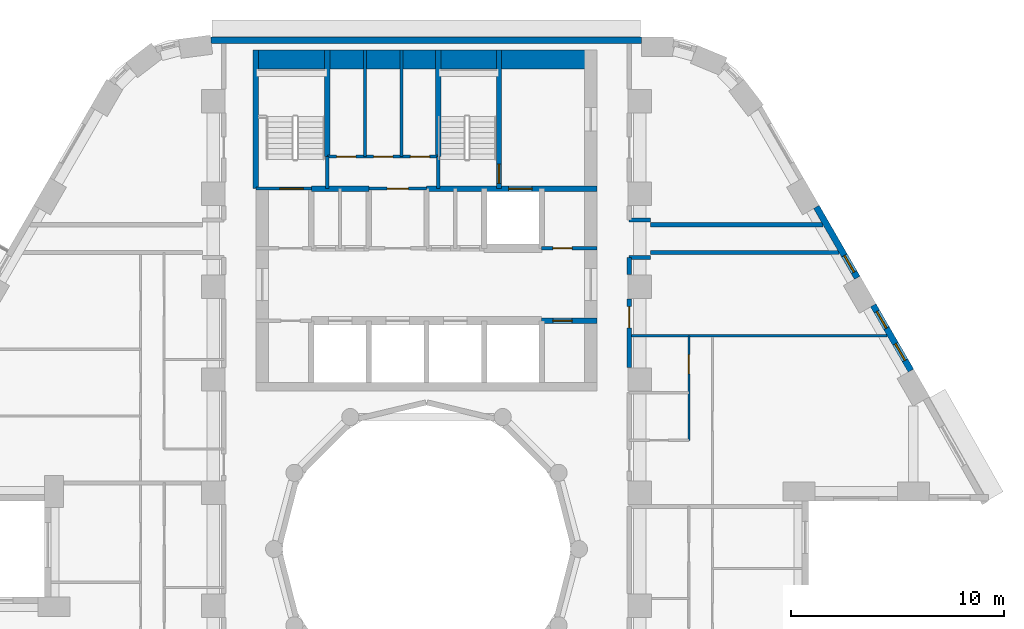
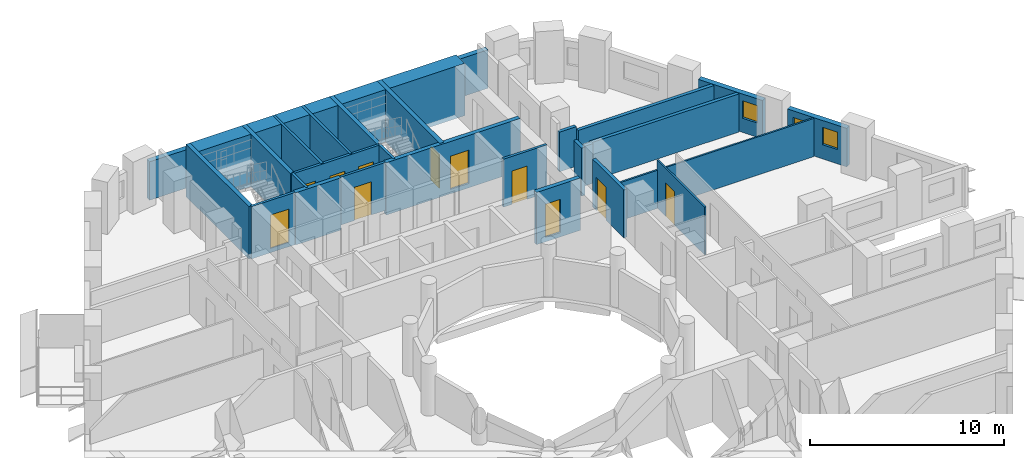
# One storey, part 8 of 13: 27 walls, 11 doors, 3 windows, 14 openings.
"""IFC4 building model written with IfcOpenShell, lengths in metres."""

from ifc_helpers import new_model, si_unit, direction, frame, frame_2d, origin, place, context, subcontext, project, spatial, rectangle, extrude, material, layer, layer_set, type_object, element, fill, save


model = new_model("IFC4")

# Units and contexts
model_context = context("Model", 3, precision=1e-05, world=origin(), true_north=direction((0.0, 1.0)))
body_context = subcontext(model_context, "Body", "Model", "MODEL_VIEW")
ifc_project = project(units=[si_unit("LENGTHUNIT", "METRE"), si_unit("AREAUNIT", "SQUARE_METRE"), si_unit("VOLUMEUNIT", "CUBIC_METRE"), si_unit("PLANEANGLEUNIT", "RADIAN"), si_unit("MASSUNIT", "GRAM", prefix="KILO")], contexts=[model_context])

# Site, building, storey
site_placement = place(None, origin())
site = spatial("IfcSite", under=ifc_project, at=site_placement, CompositionType="ELEMENT")
building_placement = place(site_placement, origin())
building = spatial("IfcBuilding", under=site, at=building_placement, Name="Nakaniwa Court", CompositionType="ELEMENT")
storey_placement = place(building_placement, frame((0.0, 0.0, 44.699951171875)))
storey = spatial("IfcBuildingStorey", under=building, at=storey_placement, Name="L11", CompositionType="ELEMENT", Elevation=44.699951171875)

# Wall, opening, door
ifc_material_1 = material(Name="Acoustic double stud partition")
ifc_layer_1 = layer(ifc_material_1, 0.199951171875)
ifc_layer_set_1 = layer_set([ifc_layer_1], Name="Acoustic double stud partition")
wall_type_1 = type_object("IfcWallType", Name="Acoustic double stud partition 200", PredefinedType="PARTITIONING", material=ifc_layer_set_1)
wall_1_placement = place(storey_placement, frame((89.5, 91.73291015625, 0.0), z_axis=(0.0, 0.0, 1.0), x_axis=(0.0, -1.0, 0.0)))
wall_1 = element("IfcWall", 1, at=wall_1_placement, inside=storey, type_object=wall_type_1, Name="Partition PW-080", PredefinedType="PARTITIONING", context=body_context, shape_type="SweptSolid", body=[
    extrude(rectangle(XDim=3.2158203125, YDim=0.199951171875, at=frame_2d((1.60791015625, 0.0))), origin(), (0.0, 0.0, 1.0), 3.025146484375),
])
opening_1_placement = place(wall_1_placement, frame((0.367919921875, 0.0, 0.0)))
opening_1 = element("IfcOpeningElement", 2, at=opening_1_placement, cuts=wall_1, Name="Opening D-02-06", PredefinedType="OPENING", context=body_context, shape_type="SweptSolid", body=[
    extrude(rectangle(XDim=1.0, YDim=2.10009765625, at=frame_2d((0.5, 1.050048828125))), frame((0.0, 0.10986328125, 0.0), z_axis=(0.0, -1.0, 0.0), x_axis=(1.0, 0.0, 0.0)), (0.0, 0.0, 1.0), 0.219970703125),
])
ifc_material_2 = material(Name="Solid core timber door set, black veneer", Category="wood")
door_type_1 = type_object("IfcDoorType", Name="Internal door 1000", OperationType="NOTDEFINED", PredefinedType="DOOR", material=ifc_material_2)
door_1_placement = place(opening_1_placement, origin())
door_1 = element("IfcDoor", 3, at=door_1_placement, inside=storey, type_object=door_type_1, Name="Door D-02-06 L11-058", OperationType="SINGLE_SWING_LEFT", OverallHeight=2.10009765625, OverallWidth=1.0, PredefinedType="DOOR", context=body_context, shape_type="SweptSolid", body=[
    extrude(rectangle(XDim=1.0, YDim=2.10009765625, at=frame_2d((0.5, 1.050048828125))), frame((0.0, 0.02490234375, 0.0), z_axis=(0.0, -1.0, 0.0), x_axis=(1.0, 0.0, 0.0)), (0.0, 0.0, 1.0), 0.050048828125),
])
fill(opening_1, door_1)

# Walls
wall_2_placement = place(storey_placement, frame((89.5, 92.866943359375, 0.0), z_axis=(0.0, 0.0, 1.0), x_axis=(0.0, 1.0, 0.0)))
element("IfcWall", 4, at=wall_2_placement, inside=storey, type_object=wall_type_1, Name="Partition PW-081", PredefinedType="PARTITIONING", context=body_context, shape_type="SweptSolid", body=[
    extrude(rectangle(XDim=0.81103515625, YDim=0.199951171875, at=frame_2d((0.405517578125, 0.0))), origin(), (0.0, 0.0, 1.0), 3.025146484375),
])
wall_3_placement = place(storey_placement, frame((89.5, 95.425048828125, 0.0), z_axis=(0.0, 0.0, 1.0), x_axis=(1.0, 0.0, 0.0)))
element("IfcWall", 5, at=wall_3_placement, inside=storey, type_object=wall_type_1, Name="Partition PW-086", PredefinedType="PARTITIONING", context=body_context, shape_type="SweptSolid", body=[
    extrude(rectangle(XDim=1.0, YDim=0.199951171875, at=frame_2d((0.5, 0.0))), origin(), (0.0, 0.0, 1.0), 2.505126953125),
])
wall_4_placement = place(storey_placement, frame((90.5, 95.199951171875, 0.0), z_axis=(0.0, 0.0, 1.0), x_axis=(1.0, 0.0, 0.0)))
element("IfcWall", 6, at=wall_4_placement, inside=storey, type_object=wall_type_1, Name="Partition PW-088", PredefinedType="PARTITIONING", context=body_context, shape_type="SweptSolid", body=[
    extrude(rectangle(XDim=8.0908203125, YDim=0.199951171875, at=frame_2d((4.04541015625, 0.0))), origin(), (0.0, 0.0, 1.0), 2.405029296875),
])
wall_5_placement = place(storey_placement, frame((90.5, 93.89990234375, 0.0), z_axis=(0.0, 0.0, 1.0), x_axis=(1.0, 0.0, 0.0)))
element("IfcWall", 7, at=wall_5_placement, inside=storey, type_object=wall_type_1, Name="Partition PW-090", PredefinedType="PARTITIONING", context=body_context, shape_type="SweptSolid", body=[
    extrude(rectangle(XDim=8.84130859375, YDim=0.199951171875, at=frame_2d((4.420654296875, 0.0))), origin(), (0.0, 0.0, 1.0), 2.405029296875),
])
wall_6_placement = place(storey_placement, frame((89.5, 93.675048828125, 0.0), z_axis=(0.0, 0.0, 1.0), x_axis=(1.0, 0.0, 0.0)))
element("IfcWall", 8, at=wall_6_placement, inside=storey, type_object=wall_type_1, Name="Partition PW-092", PredefinedType="PARTITIONING", context=body_context, shape_type="SweptSolid", body=[
    extrude(rectangle(XDim=1.0, YDim=0.199951171875, at=frame_2d((0.5, 0.0))), origin(), (0.0, 0.0, 1.0), 2.505126953125),
])

# Wall, openings, windows
ifc_material_3 = material(Name="Charcoal ceramic cladding")
ifc_layer_2 = layer(ifc_material_3, 0.02, Name="Ceramic cladding")
ifc_material_4 = material(Name="Ventilated air cavity")
ifc_layer_3 = layer(ifc_material_4, 0.04, ventilated=True, Name="Ventilated cavity")
ifc_material_5 = material(Name="Mineral wool insulation")
ifc_layer_4 = layer(ifc_material_5, 0.1, Name="Insulation")
ifc_material_6 = material(Name="Cement bonded sheathing board")
ifc_layer_5 = layer(ifc_material_6, 0.012, Name="Sheathing")
ifc_material_7 = material(Name="Cold-formed galvanised stud frame with mineral wool infill")
ifc_layer_6 = layer(ifc_material_7, 0.1, Name="Stud frame")
ifc_material_8 = material(Name="Fire-rated gypsum plasterboard lining")
ifc_layer_7 = layer(ifc_material_8, 0.028, Name="Lining")
ifc_layer_set_2 = layer_set([ifc_layer_2, ifc_layer_3, ifc_layer_4, ifc_layer_5, ifc_layer_6, ifc_layer_7], Name="Charcoal ceramic faced external wall system")
wall_type_2 = type_object("IfcWallType", Name="Black ceramic faced external wall 300", PredefinedType="SOLIDWALL", material=ifc_layer_set_2)
wall_7_placement = place(storey_placement, frame((102.709716796875, 88.36572265625, 0.0), z_axis=(0.0, 0.0, 1.0), x_axis=(-0.499977402622, 0.866038449993, 0.0)))
wall_7 = element("IfcWall", 9, at=wall_7_placement, inside=storey, type_object=wall_type_2, Name="L11 external wall 03", PredefinedType="SOLIDWALL", context=body_context, shape_type="SweptSolid", body=[
    extrude(rectangle(XDim=3.536865234375, YDim=0.300048828125, at=frame_2d((1.7685546875, 0.0))), origin(), (0.0, 0.0, 1.0), 2.425048828125),
])
opening_2_placement = place(wall_7_placement, frame((0.5546875, 0.0, 0.89990234375)))
opening_2 = element("IfcOpeningElement", 10, at=opening_2_placement, cuts=wall_7, Name="Opening W9.04", PredefinedType="OPENING", context=body_context, shape_type="SweptSolid", body=[
    extrude(rectangle(XDim=0.89990234375, YDim=1.10009765625, at=frame_2d((0.449951171875, 0.550048828125))), frame((0.0, 0.159912109375, 0.0), z_axis=(0.0, -1.0, 0.0), x_axis=(1.0, 0.0, 0.0)), (0.0, 0.0, 1.0), 0.320068359375),
])
opening_3_placement = place(wall_7_placement, frame((2.299072265625, 0.0, 0.89990234375)))
opening_3 = element("IfcOpeningElement", 11, at=opening_3_placement, cuts=wall_7, Name="Opening W9.05", PredefinedType="OPENING", context=body_context, shape_type="SweptSolid", body=[
    extrude(rectangle(XDim=0.89990234375, YDim=1.10009765625, at=frame_2d((0.449951171875, 0.550048828125))), frame((0.0, 0.159912109375, 0.0), z_axis=(0.0, -1.0, 0.0), x_axis=(1.0, 0.0, 0.0)), (0.0, 0.0, 1.0), 0.320068359375),
])
ifc_material_9 = material(Name="Black anodised aluminium frame with dark low-E laminated double glazing", Category="aluminium")
window_type = type_object("IfcWindowType", Name="Dark glass window 900x1100 sill 900", PartitioningType="SINGLE_PANEL", PredefinedType="WINDOW", material=ifc_material_9)
window_1_placement = place(opening_2_placement, origin())
window_1 = element("IfcWindow", 12, at=window_1_placement, inside=storey, type_object=window_type, Name="L11 living window 03-0", OverallHeight=1.10009765625, OverallWidth=0.89990234375, PartitioningType="SINGLE_PANEL", PredefinedType="WINDOW", context=body_context, shape_type="SweptSolid", body=[
    extrude(rectangle(XDim=0.89990234375, YDim=1.10009765625, at=frame_2d((0.449951171875, 0.550048828125))), frame((0.0, 0.030029296875, 0.0), z_axis=(0.0, -1.0, 0.0), x_axis=(1.0, 0.0, 0.0)), (0.0, 0.0, 1.0), 0.06005859375),
])
fill(opening_2, window_1)
window_2_placement = place(opening_3_placement, origin())
window_2 = element("IfcWindow", 13, at=window_2_placement, inside=storey, type_object=window_type, Name="L11 habitable room window 03-1", OverallHeight=1.10009765625, OverallWidth=0.89990234375, PartitioningType="SINGLE_PANEL", PredefinedType="WINDOW", context=body_context, shape_type="SweptSolid", body=[
    extrude(rectangle(XDim=0.89990234375, YDim=1.10009765625, at=frame_2d((0.449951171875, 0.550048828125))), frame((0.0, 0.030029296875, 0.0), z_axis=(0.0, -1.0, 0.0), x_axis=(1.0, 0.0, 0.0)), (0.0, 0.0, 1.0), 0.06005859375),
])
fill(opening_3, window_2)

# Wall, opening, window
wall_8_placement = place(storey_placement, frame((100.1953125, 92.720703125, 0.0), z_axis=(0.0, 0.0, 1.0), x_axis=(-0.500001735503, 0.866024401789, 0.0)))
wall_8 = element("IfcWall", 14, at=wall_8_placement, inside=storey, type_object=wall_type_2, Name="L11 external wall 04", PredefinedType="SOLIDWALL", context=body_context, shape_type="SweptSolid", body=[
    extrude(rectangle(XDim=3.833984375, YDim=0.300048828125, at=frame_2d((1.9169921875, 0.0))), origin(), (0.0, 0.0, 1.0), 2.425048828125),
])
opening_4_placement = place(wall_8_placement, frame((0.304931640625, 0.0, 0.89990234375)))
opening_4 = element("IfcOpeningElement", 15, at=opening_4_placement, cuts=wall_8, Name="Opening W9.06", PredefinedType="OPENING", context=body_context, shape_type="SweptSolid", body=[
    extrude(rectangle(XDim=0.89990234375, YDim=1.10009765625, at=frame_2d((0.449951171875, 0.550048828125))), frame((0.0, 0.159912109375, 0.0), z_axis=(0.0, -1.0, 0.0), x_axis=(1.0, 0.0, 0.0)), (0.0, 0.0, 1.0), 0.320068359375),
])
window_3_placement = place(opening_4_placement, origin())
window_3 = element("IfcWindow", 16, at=window_3_placement, inside=storey, type_object=window_type, Name="L11 habitable room window 04-0", OverallHeight=1.10009765625, OverallWidth=0.89990234375, PartitioningType="SINGLE_PANEL", PredefinedType="WINDOW", context=body_context, shape_type="SweptSolid", body=[
    extrude(rectangle(XDim=0.89990234375, YDim=1.10009765625, at=frame_2d((0.449951171875, 0.550048828125))), frame((0.0, 0.030029296875, 0.0), z_axis=(0.0, -1.0, 0.0), x_axis=(1.0, 0.0, 0.0)), (0.0, 0.0, 1.0), 0.06005859375),
])
fill(opening_4, window_3)

# Wall
wall_9_placement = place(storey_placement, frame((90.07861328125, 103.85009765625, 0.0), z_axis=(0.0, 0.0, 1.0), x_axis=(-1.0, 0.0, 0.0)))
element("IfcWall", 17, at=wall_9_placement, inside=storey, type_object=wall_type_2, Name="L11 external wall 08", PredefinedType="SOLIDWALL", context=body_context, shape_type="SweptSolid", body=[
    extrude(rectangle(XDim=20.1904296875, YDim=0.300048828125, at=frame_2d((10.09521484375, 0.0))), origin(), (0.0, 0.0, 1.0), 2.425048828125),
])

# Wall, opening, door
ifc_material_10 = material(Name="Blockwork partition", Category="masonry")
ifc_layer_8 = layer(ifc_material_10, 0.14990234375)
ifc_layer_set_3 = layer_set([ifc_layer_8], Name="Blockwork partition")
wall_type_3 = type_object("IfcWallType", Name="Blockwork partition 150", PredefinedType="PARTITIONING", material=ifc_layer_set_3)
wall_10_placement = place(storey_placement, frame((85.39697265625, 94.10009765625, 0.0), z_axis=(0.0, 0.0, 1.0), x_axis=(1.0, 0.0, 0.0)))
wall_10 = element("IfcWall", 18, at=wall_10_placement, inside=storey, type_object=wall_type_3, Name="Partition PW-018", PredefinedType="PARTITIONING", context=body_context, shape_type="SweptSolid", body=[
    extrude(rectangle(XDim=2.60302734375, YDim=0.14990234375, at=frame_2d((1.301513671875, 0.0))), origin(), (0.0, 0.0, 1.0), 3.025146484375),
])
opening_5_placement = place(wall_10_placement, frame((0.528076171875, 0.0, 0.0)))
opening_5 = element("IfcOpeningElement", 19, at=opening_5_placement, cuts=wall_10, Name="Opening D-05-07", PredefinedType="OPENING", context=body_context, shape_type="SweptSolid", body=[
    extrude(rectangle(XDim=0.89990234375, YDim=2.10009765625, at=frame_2d((0.449951171875, 1.050048828125))), frame((0.0, 0.0849609375, 0.0), z_axis=(0.0, -1.0, 0.0), x_axis=(1.0, 0.0, 0.0)), (0.0, 0.0, 1.0), 0.169921875),
])
ifc_material_11 = material(Name="Fire rated steel door set", Category="steel")
door_type_2 = type_object("IfcDoorType", Name="Service room door 900", OperationType="NOTDEFINED", PredefinedType="DOOR", material=ifc_material_11)
door_2_placement = place(opening_5_placement, origin())
door_2 = element("IfcDoor", 20, at=door_2_placement, inside=storey, type_object=door_type_2, Name="Door D-05-07 L11-009", OperationType="SINGLE_SWING_RIGHT", OverallHeight=2.10009765625, OverallWidth=0.89990234375, PredefinedType="DOOR", context=body_context, shape_type="SweptSolid", body=[
    extrude(rectangle(XDim=0.89990234375, YDim=2.10009765625, at=frame_2d((0.449951171875, 1.050048828125))), frame((0.0, 0.02490234375, 0.0), z_axis=(0.0, -1.0, 0.0), x_axis=(1.0, 0.0, 0.0)), (0.0, 0.0, 1.0), 0.050048828125),
])
fill(opening_5, door_2)

wall_11_placement = place(storey_placement, frame((77.300048828125, 96.89990234375, 0.0), z_axis=(0.0, 0.0, 1.0), x_axis=(1.0, 0.0, 0.0)))
wall_11 = element("IfcWall", 21, at=wall_11_placement, inside=storey, type_object=wall_type_3, Name="Partition PW-026", PredefinedType="PARTITIONING", context=body_context, shape_type="SweptSolid", body=[
    extrude(rectangle(XDim=2.699951171875, YDim=0.14990234375, at=frame_2d((1.35009765625, 0.0))), origin(), (0.0, 0.0, 1.0), 3.025146484375),
])
opening_6_placement = place(wall_11_placement, frame((0.85009765625, 0.0, 0.0)))
opening_6 = element("IfcOpeningElement", 22, at=opening_6_placement, cuts=wall_11, Name="Opening D-23-01", PredefinedType="OPENING", context=body_context, shape_type="SweptSolid", body=[
    extrude(rectangle(XDim=1.0, YDim=2.10009765625, at=frame_2d((0.5, 1.050048828125))), frame((0.0, 0.0849609375, 0.0), z_axis=(0.0, -1.0, 0.0), x_axis=(1.0, 0.0, 0.0)), (0.0, 0.0, 1.0), 0.169921875),
])
door_type_3 = type_object("IfcDoorType", Name="Service room door 1000", OperationType="NOTDEFINED", PredefinedType="DOOR", material=ifc_material_11)
door_3_placement = place(opening_6_placement, origin())
door_3 = element("IfcDoor", 23, at=door_3_placement, inside=storey, type_object=door_type_3, Name="Door D-23-01 L11-010", OperationType="SINGLE_SWING_LEFT", OverallHeight=2.10009765625, OverallWidth=1.0, PredefinedType="DOOR", context=body_context, shape_type="SweptSolid", body=[
    extrude(rectangle(XDim=1.0, YDim=2.10009765625, at=frame_2d((0.5, 1.050048828125))), frame((0.0, 0.02490234375, 0.0), z_axis=(0.0, -1.0, 0.0), x_axis=(1.0, 0.0, 0.0)), (0.0, 0.0, 1.0), 0.050048828125),
])
fill(opening_6, door_3)

# Wall, openings, doors
wall_12_placement = place(storey_placement, frame((75.35009765625, 98.39990234375, 0.0), z_axis=(0.0, 0.0, 1.0), x_axis=(1.0, 0.0, 0.0)))
wall_12 = element("IfcWall", 24, at=wall_12_placement, inside=storey, type_object=wall_type_3, Name="Partition PW-034", PredefinedType="PARTITIONING", context=body_context, shape_type="SweptSolid", body=[
    extrude(rectangle(XDim=5.199951171875, YDim=0.14990234375, at=frame_2d((2.60009765625, 0.0))), origin(), (0.0, 0.0, 1.0), 3.025146484375),
])
opening_7_placement = place(wall_12_placement, frame((0.43408203125, 0.0, 0.0)))
opening_7 = element("IfcOpeningElement", 25, at=opening_7_placement, cuts=wall_12, Name="Opening D-05-08", PredefinedType="OPENING", context=body_context, shape_type="SweptSolid", body=[
    extrude(rectangle(XDim=0.89990234375, YDim=2.10009765625, at=frame_2d((0.449951171875, 1.050048828125))), frame((0.0, 0.0849609375, 0.0), z_axis=(0.0, -1.0, 0.0), x_axis=(1.0, 0.0, 0.0)), (0.0, 0.0, 1.0), 0.169921875),
])
opening_8_placement = place(wall_12_placement, frame((2.176025390625, 0.0, 0.0)))
opening_8 = element("IfcOpeningElement", 26, at=opening_8_placement, cuts=wall_12, Name="Opening D-05-09", PredefinedType="OPENING", context=body_context, shape_type="SweptSolid", body=[
    extrude(rectangle(XDim=0.89990234375, YDim=2.10009765625, at=frame_2d((0.449951171875, 1.050048828125))), frame((0.0, 0.0849609375, 0.0), z_axis=(0.0, -1.0, 0.0), x_axis=(1.0, 0.0, 0.0)), (0.0, 0.0, 1.0), 0.169921875),
])
opening_9_placement = place(wall_12_placement, frame((3.89208984375, 0.0, 0.0)))
opening_9 = element("IfcOpeningElement", 27, at=opening_9_placement, cuts=wall_12, Name="Opening D-05-10", PredefinedType="OPENING", context=body_context, shape_type="SweptSolid", body=[
    extrude(rectangle(XDim=0.89990234375, YDim=2.10009765625, at=frame_2d((0.449951171875, 1.050048828125))), frame((0.0, 0.0849609375, 0.0), z_axis=(0.0, -1.0, 0.0), x_axis=(1.0, 0.0, 0.0)), (0.0, 0.0, 1.0), 0.169921875),
])
door_4_placement = place(opening_7_placement, origin())
door_4 = element("IfcDoor", 28, at=door_4_placement, inside=storey, type_object=door_type_2, Name="Door D-05-08 L11-011", OperationType="SINGLE_SWING_RIGHT", OverallHeight=2.10009765625, OverallWidth=0.89990234375, PredefinedType="DOOR", context=body_context, shape_type="SweptSolid", body=[
    extrude(rectangle(XDim=0.89990234375, YDim=2.10009765625, at=frame_2d((0.449951171875, 1.050048828125))), frame((0.0, 0.02490234375, 0.0), z_axis=(0.0, -1.0, 0.0), x_axis=(1.0, 0.0, 0.0)), (0.0, 0.0, 1.0), 0.050048828125),
])
fill(opening_7, door_4)
door_5_placement = place(opening_8_placement, origin())
door_5 = element("IfcDoor", 29, at=door_5_placement, inside=storey, type_object=door_type_2, Name="Door D-05-09 L11-012", OperationType="SINGLE_SWING_LEFT", OverallHeight=2.10009765625, OverallWidth=0.89990234375, PredefinedType="DOOR", context=body_context, shape_type="SweptSolid", body=[
    extrude(rectangle(XDim=0.89990234375, YDim=2.10009765625, at=frame_2d((0.449951171875, 1.050048828125))), frame((0.0, 0.02490234375, 0.0), z_axis=(0.0, -1.0, 0.0), x_axis=(1.0, 0.0, 0.0)), (0.0, 0.0, 1.0), 0.050048828125),
])
fill(opening_8, door_5)
door_6_placement = place(opening_9_placement, origin())
door_6 = element("IfcDoor", 30, at=door_6_placement, inside=storey, type_object=door_type_2, Name="Door D-05-10 L11-013", OperationType="SINGLE_SWING_RIGHT", OverallHeight=2.10009765625, OverallWidth=0.89990234375, PredefinedType="DOOR", context=body_context, shape_type="SweptSolid", body=[
    extrude(rectangle(XDim=0.89990234375, YDim=2.10009765625, at=frame_2d((0.449951171875, 1.050048828125))), frame((0.0, 0.02490234375, 0.0), z_axis=(0.0, -1.0, 0.0), x_axis=(1.0, 0.0, 0.0)), (0.0, 0.0, 1.0), 0.050048828125),
])
fill(opening_9, door_6)

# Walls
for number, where, z_axis, x_axis, name in (
    (31, (77.117919921875, 98.39990234375, 0.0), (0.0, 0.0, 1.0), (0.0, 1.0, 0.0), "Partition PW-035"),
    (32, (78.833984375, 98.39990234375, 0.0), (0.0, 0.0, 1.0), (0.0, 1.0, 0.0), "Partition PW-036"),
):
    element("IfcWall", number, at=place(storey_placement, frame(where, z_axis=z_axis, x_axis=x_axis)), inside=storey, type_object=wall_type_3, Name=name, PredefinedType="PARTITIONING", context=body_context, shape_type="SweptSolid", body=[
        extrude(rectangle(XDim=5.0, YDim=0.14990234375, at=frame_2d((2.5, 0.0))), origin(), (0.0, 0.0, 1.0), 3.025146484375),
    ])

# Wall, opening, door
ifc_material_12 = material(Name="Concrete C100/115", Category="concrete")
ifc_layer_9 = layer(ifc_material_12, 0.14990234375)
ifc_layer_set_4 = layer_set([ifc_layer_9], Name="Concrete C100/115")
wall_type_4 = type_object("IfcWallType", Name="Concrete core wall 150 C100", PredefinedType="SHEAR", material=ifc_layer_set_4)
wall_13_placement = place(storey_placement, frame((74.60009765625, 96.89990234375, -0.27490234375), z_axis=(0.0, 0.0, 1.0), x_axis=(-1.0, 0.0, 0.0)))
wall_13 = element("IfcWall", 33, at=wall_13_placement, inside=storey, type_object=wall_type_4, Name="Core wall SW-22", PredefinedType="SHEAR", context=body_context, shape_type="SweptSolid", body=[
    extrude(rectangle(XDim=2.60009765625, YDim=0.14990234375, at=frame_2d((1.300048828125, 0.0))), origin(), (0.0, 0.0, 1.0), 3.300048828125),
])
opening_10_placement = place(wall_13_placement, frame((0.3701171875, 0.0, 0.27490234375)))
opening_10 = element("IfcOpeningElement", 34, at=opening_10_placement, cuts=wall_13, Name="Opening D-09-01", PredefinedType="OPENING", context=body_context, shape_type="SweptSolid", body=[
    extrude(rectangle(XDim=1.10009765625, YDim=2.10009765625, at=frame_2d((0.550048828125, 1.050048828125))), frame((0.0, 0.0849609375, 0.0), z_axis=(0.0, -1.0, 0.0), x_axis=(1.0, 0.0, 0.0)), (0.0, 0.0, 1.0), 0.169921875),
])
door_type_4 = type_object("IfcDoorType", Name="Stair door 1100", OperationType="NOTDEFINED", PredefinedType="DOOR", material=ifc_material_11)
door_7_placement = place(opening_10_placement, origin())
door_7 = element("IfcDoor", 35, at=door_7_placement, inside=storey, type_object=door_type_4, Name="Door D-09-01 L11-014", OperationType="SINGLE_SWING_RIGHT", OverallHeight=2.10009765625, OverallWidth=1.10009765625, PredefinedType="DOOR", context=body_context, shape_type="SweptSolid", body=[
    extrude(rectangle(XDim=1.10009765625, YDim=2.10009765625, at=frame_2d((0.550048828125, 1.050048828125))), frame((0.0, 0.02490234375, 0.0), z_axis=(0.0, -1.0, 0.0), x_axis=(1.0, 0.0, 0.0)), (0.0, 0.0, 1.0), 0.050048828125),
])
fill(opening_10, door_7)

# Walls
for number, where, z_axis, x_axis, name in (
    (36, (75.35009765625, 96.89990234375, -0.27490234375), (0.0, 0.0, 1.0), (0.0, 1.0, 0.0), "Core wall SW-28"),
    (37, (80.550048828125, 96.89990234375, -0.27490234375), (0.0, 0.0, 1.0), (0.0, 1.0, 0.0), "Core wall SW-32"),
):
    element("IfcWall", number, at=place(storey_placement, frame(where, z_axis=z_axis, x_axis=x_axis)), inside=storey, type_object=wall_type_4, Name=name, PredefinedType="SHEAR", context=body_context, shape_type="SweptSolid", body=[
        extrude(rectangle(XDim=1.503173828125, YDim=0.14990234375, at=frame_2d((0.75146484375, 0.0))), origin(), (0.0, 0.0, 1.0), 3.300048828125),
    ])
ifc_layer_10 = layer(ifc_material_12, 0.25)
ifc_layer_set_5 = layer_set([ifc_layer_10], Name="Concrete C100/115")
wall_type_5 = type_object("IfcWallType", Name="Concrete core wall 250 C100", PredefinedType="SHEAR", material=ifc_layer_set_5)
wall_14_placement = place(storey_placement, frame((72.0, 96.89990234375, -0.27490234375), z_axis=(0.0, 0.0, 1.0), x_axis=(0.0, 1.0, 0.0)))
element("IfcWall", 38, at=wall_14_placement, inside=storey, type_object=wall_type_5, Name="Core wall SW-30", PredefinedType="SHEAR", context=body_context, shape_type="SweptSolid", body=[
    extrude(rectangle(XDim=6.5, YDim=0.25, at=frame_2d((3.25, 0.0))), origin(), (0.0, 0.0, 1.0), 3.300048828125),
])
ifc_layer_11 = layer(ifc_material_12, 0.89990234375)
ifc_layer_set_6 = layer_set([ifc_layer_11], Name="Concrete C100/115")
wall_type_6 = type_object("IfcWallType", Name="Concrete core wall 900 C100", PredefinedType="SHEAR", material=ifc_layer_set_6)
wall_15_placement = place(storey_placement, frame((72.00390625, 102.949951171875, -0.27490234375), z_axis=(0.0, 0.0, 1.0), x_axis=(1.0, 0.0, 0.0)))
element("IfcWall", 39, at=wall_15_placement, inside=storey, type_object=wall_type_6, Name="Core wall SW-139", PredefinedType="SHEAR", context=body_context, shape_type="SweptSolid", body=[
    extrude(rectangle(XDim=15.9921875, YDim=0.89990234375, at=frame_2d((7.99609375, 0.0))), origin(), (0.0, 0.0, 1.0), 3.300048828125),
])

# Wall, opening, door
ifc_layer_12 = layer(ifc_material_12, 0.25)
ifc_layer_set_7 = layer_set([ifc_layer_12], Name="Concrete C100/115")
wall_type_7 = type_object("IfcWallType", Name="Concrete shaft wall 250 C100", PredefinedType="SHEAR", material=ifc_layer_set_7)
wall_16_placement = place(storey_placement, frame((88.0, 90.699951171875, -0.27490234375), z_axis=(0.0, 0.0, 1.0), x_axis=(-1.0, 0.0, 0.0)))
wall_16 = element("IfcWall", 40, at=wall_16_placement, inside=storey, type_object=wall_type_7, Name="Core wall SW-14", PredefinedType="SHEAR", context=body_context, shape_type="SweptSolid", body=[
    extrude(rectangle(XDim=2.60009765625, YDim=0.25, at=frame_2d((1.300048828125, 0.0))), origin(), (0.0, 0.0, 1.0), 3.300048828125),
])
opening_11_placement = place(wall_16_placement, frame((1.175048828125, 0.0, 0.27490234375)))
opening_11 = element("IfcOpeningElement", 41, at=opening_11_placement, cuts=wall_16, Name="Opening D-05-02", PredefinedType="OPENING", context=body_context, shape_type="SweptSolid", body=[
    extrude(rectangle(XDim=0.89990234375, YDim=2.10009765625, at=frame_2d((0.449951171875, 1.050048828125))), frame((0.0, 0.135009765625, 0.0), z_axis=(0.0, -1.0, 0.0), x_axis=(1.0, 0.0, 0.0)), (0.0, 0.0, 1.0), 0.27001953125),
])
door_8_placement = place(opening_11_placement, origin())
door_8 = element("IfcDoor", 42, at=door_8_placement, inside=storey, type_object=door_type_2, Name="Door D-05-02 L11-002", OperationType="SINGLE_SWING_LEFT", OverallHeight=2.10009765625, OverallWidth=0.89990234375, PredefinedType="DOOR", context=body_context, shape_type="SweptSolid", body=[
    extrude(rectangle(XDim=0.89990234375, YDim=2.10009765625, at=frame_2d((0.449951171875, 1.050048828125))), frame((0.0, 0.02490234375, 0.0), z_axis=(0.0, -1.0, 0.0), x_axis=(1.0, 0.0, 0.0)), (0.0, 0.0, 1.0), 0.050048828125),
])
fill(opening_11, door_8)

# Wall
wall_17_placement = place(storey_placement, frame((74.60009765625, 96.89990234375, -0.27490234375), z_axis=(0.0, 0.0, 1.0), x_axis=(1.0, 0.0, 0.0)))
element("IfcWall", 43, at=wall_17_placement, inside=storey, type_object=wall_type_7, Name="Core wall SW-24", PredefinedType="SHEAR", context=body_context, shape_type="SweptSolid", body=[
    extrude(rectangle(XDim=2.699951171875, YDim=0.25, at=frame_2d((1.35009765625, 0.0))), origin(), (0.0, 0.0, 1.0), 3.300048828125),
])

# Wall, opening, door
wall_18_placement = place(storey_placement, frame((80.0, 96.89990234375, -0.27490234375), z_axis=(0.0, 0.0, 1.0), x_axis=(1.0, 0.0, 0.0)))
wall_18 = element("IfcWall", 44, at=wall_18_placement, inside=storey, type_object=wall_type_7, Name="Core wall SW-25", PredefinedType="SHEAR", context=body_context, shape_type="SweptSolid", body=[
    extrude(rectangle(XDim=8.0, YDim=0.25, at=frame_2d((4.0, 0.0))), origin(), (0.0, 0.0, 1.0), 3.300048828125),
])
opening_12_placement = place(wall_18_placement, frame((3.84912109375, 0.0, 0.27490234375)))
opening_12 = element("IfcOpeningElement", 45, at=opening_12_placement, cuts=wall_18, Name="Opening LD04", PredefinedType="OPENING", context=body_context, shape_type="SweptSolid", body=[
    extrude(rectangle(XDim=1.10009765625, YDim=2.10009765625, at=frame_2d((0.550048828125, 1.050048828125))), frame((0.0, 0.135009765625, 0.0), z_axis=(0.0, -1.0, 0.0), x_axis=(1.0, 0.0, 0.0)), (0.0, 0.0, 1.0), 0.27001953125),
])
ifc_material_13 = material(Name="Stainless steel sliding lift landing door", Category="steel")
door_type_5 = type_object("IfcDoorType", Name="Lift landing door 1100", OperationType="NOTDEFINED", PredefinedType="DOOR", material=ifc_material_13)
door_9_placement = place(opening_12_placement, origin())
door_9 = element("IfcDoor", 46, at=door_9_placement, inside=storey, type_object=door_type_5, Name="Lift landing door LD04 L11-004", OperationType="SLIDING_TO_LEFT", OverallHeight=2.10009765625, OverallWidth=1.10009765625, PredefinedType="DOOR", context=body_context, shape_type="SweptSolid", body=[
    extrude(rectangle(XDim=1.10009765625, YDim=2.10009765625, at=frame_2d((0.550048828125, 1.050048828125))), frame((0.0, 0.02490234375, 0.0), z_axis=(0.0, -1.0, 0.0), x_axis=(1.0, 0.0, 0.0)), (0.0, 0.0, 1.0), 0.050048828125),
])
fill(opening_12, door_9)

# Wall
wall_19_placement = place(storey_placement, frame((75.35009765625, 98.39697265625, -0.27490234375), z_axis=(0.0, 0.0, 1.0), x_axis=(0.0, 1.0, 0.0)))
element("IfcWall", 47, at=wall_19_placement, inside=storey, type_object=wall_type_7, Name="Core wall SW-29", PredefinedType="SHEAR", context=body_context, shape_type="SweptSolid", body=[
    extrude(rectangle(XDim=5.0029296875, YDim=0.25, at=frame_2d((2.50146484375, 0.0))), origin(), (0.0, 0.0, 1.0), 3.300048828125),
])

# Wall, opening, door
wall_20_placement = place(storey_placement, frame((83.39990234375, 103.39990234375, -0.27490234375), z_axis=(0.0, 0.0, 1.0), x_axis=(0.0, -1.0, 0.0)))
wall_20 = element("IfcWall", 48, at=wall_20_placement, inside=storey, type_object=wall_type_7, Name="Core wall SW-31", PredefinedType="SHEAR", context=body_context, shape_type="SweptSolid", body=[
    extrude(rectangle(XDim=6.5, YDim=0.25, at=frame_2d((3.25, 0.0))), origin(), (0.0, 0.0, 1.0), 3.300048828125),
])
opening_13_placement = place(wall_20_placement, frame((5.35009765625, 0.0, 0.27490234375)))
opening_13 = element("IfcOpeningElement", 49, at=opening_13_placement, cuts=wall_20, Name="Opening D-11-01", PredefinedType="OPENING", context=body_context, shape_type="SweptSolid", body=[
    extrude(rectangle(XDim=0.89990234375, YDim=2.10009765625, at=frame_2d((0.449951171875, 1.050048828125))), frame((0.0, 0.135009765625, 0.0), z_axis=(0.0, -1.0, 0.0), x_axis=(1.0, 0.0, 0.0)), (0.0, 0.0, 1.0), 0.27001953125),
])
door_type_6 = type_object("IfcDoorType", Name="Stair door 900", OperationType="NOTDEFINED", PredefinedType="DOOR", material=ifc_material_11)
door_10_placement = place(opening_13_placement, origin())
door_10 = element("IfcDoor", 50, at=door_10_placement, inside=storey, type_object=door_type_6, Name="Door D-11-01 L11-015", OperationType="SINGLE_SWING_LEFT", OverallHeight=2.10009765625, OverallWidth=0.89990234375, PredefinedType="DOOR", context=body_context, shape_type="SweptSolid", body=[
    extrude(rectangle(XDim=0.89990234375, YDim=2.10009765625, at=frame_2d((0.449951171875, 1.050048828125))), frame((0.0, 0.02490234375, 0.0), z_axis=(0.0, -1.0, 0.0), x_axis=(1.0, 0.0, 0.0)), (0.0, 0.0, 1.0), 0.050048828125),
])
fill(opening_13, door_10)

# Wall
wall_21_placement = place(storey_placement, frame((80.550048828125, 98.39697265625, -0.27490234375), z_axis=(0.0, 0.0, 1.0), x_axis=(0.0, 1.0, 0.0)))
element("IfcWall", 51, at=wall_21_placement, inside=storey, type_object=wall_type_7, Name="Core wall SW-33", PredefinedType="SHEAR", context=body_context, shape_type="SweptSolid", body=[
    extrude(rectangle(XDim=5.0029296875, YDim=0.25, at=frame_2d((2.50146484375, 0.0))), origin(), (0.0, 0.0, 1.0), 3.300048828125),
])

# Wall, opening, door
ifc_material_14 = material(Name="Single stud plasterboard partition")
ifc_layer_13 = layer(ifc_material_14, 0.10009765625)
ifc_layer_set_8 = layer_set([ifc_layer_13], Name="Single stud plasterboard partition")
wall_type_8 = type_object("IfcWallType", Name="Single stud plasterboard partition 100", PredefinedType="PARTITIONING", material=ifc_layer_set_8)
wall_22_placement = place(storey_placement, frame((92.300048828125, 85.10009765625, 0.0), z_axis=(0.0, 0.0, 1.0), x_axis=(0.0, 1.0, 0.0)))
wall_22 = element("IfcWall", 52, at=wall_22_placement, inside=storey, type_object=wall_type_8, Name="Partition PW-117", PredefinedType="PARTITIONING", context=body_context, shape_type="SweptSolid", body=[
    extrude(rectangle(XDim=4.89990234375, YDim=0.10009765625, at=frame_2d((2.449951171875, 0.0))), origin(), (0.0, 0.0, 1.0), 3.025146484375),
])
opening_14_placement = place(wall_22_placement, frame((3.114013671875, 0.0, 0.0)))
opening_14 = element("IfcOpeningElement", 53, at=opening_14_placement, cuts=wall_22, Name="Opening D-33-05", PredefinedType="OPENING", context=body_context, shape_type="SweptSolid", body=[
    extrude(rectangle(XDim=0.89990234375, YDim=2.10009765625, at=frame_2d((0.449951171875, 1.050048828125))), frame((0.0, 0.06005859375, 0.0), z_axis=(0.0, -1.0, 0.0), x_axis=(1.0, 0.0, 0.0)), (0.0, 0.0, 1.0), 0.1201171875),
])
door_type_7 = type_object("IfcDoorType", Name="Internal door 900", OperationType="NOTDEFINED", PredefinedType="DOOR", material=ifc_material_2)
door_11_placement = place(opening_14_placement, origin())
door_11 = element("IfcDoor", 54, at=door_11_placement, inside=storey, type_object=door_type_7, Name="Door D-33-05 L11-040", OperationType="SINGLE_SWING_LEFT", OverallHeight=2.10009765625, OverallWidth=0.89990234375, PredefinedType="DOOR", context=body_context, shape_type="SweptSolid", body=[
    extrude(rectangle(XDim=0.89990234375, YDim=2.10009765625, at=frame_2d((0.449951171875, 1.050048828125))), frame((0.0, 0.02490234375, 0.0), z_axis=(0.0, -1.0, 0.0), x_axis=(1.0, 0.0, 0.0)), (0.0, 0.0, 1.0), 0.050048828125),
])
fill(opening_14, door_11)

# Wall
wall_23_placement = place(storey_placement, frame((89.5, 90.0, 0.0), z_axis=(0.0, 0.0, 1.0), x_axis=(1.0, 0.0, 0.0)))
element("IfcWall", 55, at=wall_23_placement, inside=storey, type_object=wall_type_8, Name="Partition PW-126", PredefinedType="PARTITIONING", context=body_context, shape_type="SweptSolid", body=[
    extrude(rectangle(XDim=12.093017578125, YDim=0.10009765625, at=frame_2d((6.04638671875, 0.0))), origin(), (0.0, 0.0, 1.0), 2.405029296875),
])

save(model, "model.ifc")
